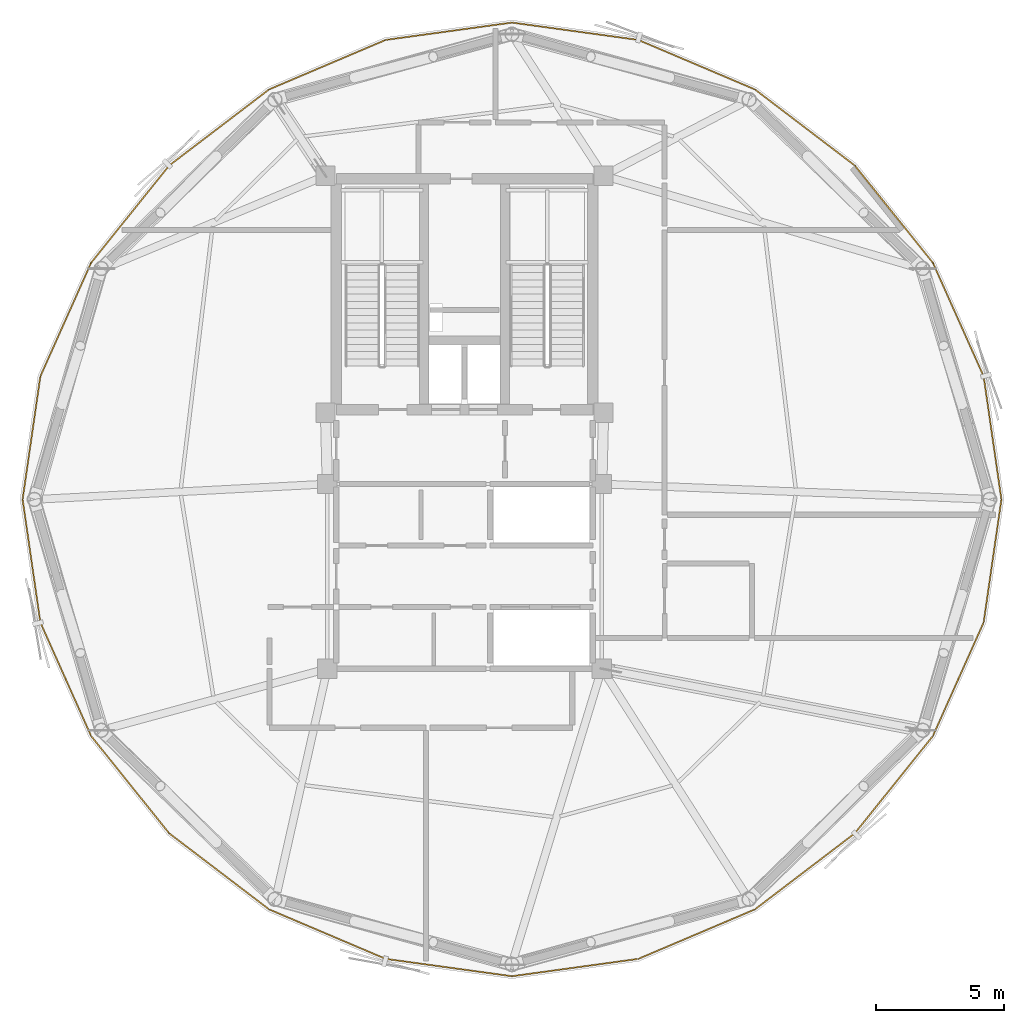
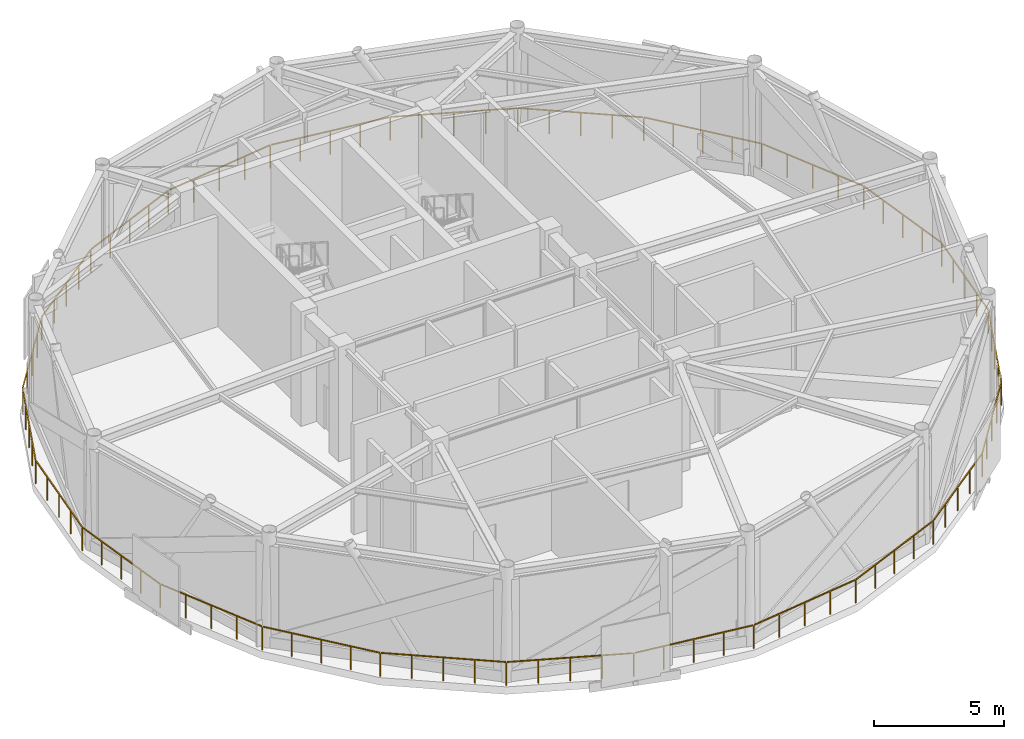
# One storey, part 8 of 10: 1 railing.
"""IFC4 building model written with IfcOpenShell, lengths in metres."""

from ifc_helpers import new_model, si_unit, direction, frame, origin, origin_2d, place, context, subcontext, project, spatial, rectangle, extrude, material, type_object, element, save


model = new_model("IFC4")

# Units and contexts
model_context = context("Model", 3, precision=1e-05, world=origin(), true_north=direction((0.0, 1.0)))
body_context = subcontext(model_context, "Body", "Model", "MODEL_VIEW")
ifc_project = project(units=[si_unit("LENGTHUNIT", "METRE"), si_unit("AREAUNIT", "SQUARE_METRE"), si_unit("VOLUMEUNIT", "CUBIC_METRE"), si_unit("PLANEANGLEUNIT", "RADIAN"), si_unit("MASSUNIT", "GRAM", prefix="KILO")], contexts=[model_context])

# Site, building, storey
site_placement = place(None, origin())
site = spatial("IfcSite", under=ifc_project, at=site_placement, CompositionType="ELEMENT")
building_placement = place(site_placement, origin())
building = spatial("IfcBuilding", under=site, at=building_placement, Name="Varnakorn Sky Granary", CompositionType="ELEMENT")
storey_placement = place(building_placement, frame((0.0, 0.0, 240.0)))
storey = spatial("IfcBuildingStorey", under=building, at=storey_placement, Name="L61", CompositionType="ELEMENT", Elevation=240.0)

# Railing
ifc_material = material(Name="Anodised Bronze Aluminium Alloy 6063-T6", Category="aluminium")
railing_type = type_object("IfcRailingType", Name="RL-BAL-1120", PredefinedType="BALUSTRADE", material=ifc_material)
railing_placement = place(storey_placement, frame((23.929931640625, 0.0, 0.0)))
element("IfcRailing", 1, at=railing_placement, inside=storey, type_object=railing_type, Name="Perimeter Slab-Edge Safety Guard L61", PredefinedType="BALUSTRADE", context=body_context, shape_type="SweptSolid", body=[
    extrude(rectangle(XDim=0.048095703125, YDim=0.048095703125, at=origin_2d()), frame((-0.00390625, -0.02783203125, 1.09619140625), z_axis=(-0.142937190919, -0.989731761364, 0.0), x_axis=(0.989731761364, -0.142937190919, 0.0)), (0.0, 0.0, 1.0), 4.791259765625),
    extrude(rectangle(XDim=0.048095703125, YDim=0.048095703125, at=origin_2d()), frame((-0.704345703125, -4.8232421875, 1.09619140625), z_axis=(-0.408048102101, -0.912960429795, 0.0), x_axis=(0.912960429795, -0.408048102101, 0.0)), (0.0, 0.0, 1.0), 4.793212890625),
    extrude(rectangle(XDim=0.048095703125, YDim=0.048095703125, at=origin_2d()), frame((-2.689208984375, -9.24658203125, 1.09619140625), z_axis=(-0.625919112172, -0.779887982352, 0.0), x_axis=(0.779887982352, -0.625919112172, 0.0)), (0.0, 0.0, 1.0), 4.8056640625),
    extrude(rectangle(XDim=0.048095703125, YDim=0.048095703125, at=origin_2d()), frame((-5.73681640625, -13.033447265625, 1.09619140625), z_axis=(-0.795469510511, -0.605993612052, 0.0), x_axis=(0.605993612052, -0.795469510511, 0.0)), (0.0, 0.0, 1.0), 4.837646484375),
    extrude(rectangle(XDim=0.048095703125, YDim=0.048095703125, at=origin_2d()), frame((-9.63330078125, -15.992919921875, 1.09619140625), z_axis=(-0.920469197457, -0.390815118096, 0.0), x_axis=(0.390815118096, -0.920469197457, 0.0)), (0.0, 0.0, 1.0), 4.883544921875),
    extrude(rectangle(XDim=0.048095703125, YDim=0.048095703125, at=origin_2d()), frame((-14.181884765625, -17.916259765625, 1.09619140625), z_axis=(-0.990693412085, -0.136112318512, 0.0), x_axis=(0.136112318512, -0.990693412085, 0.0)), (0.0, 0.0, 1.0), 4.916015625),
    extrude(rectangle(XDim=0.048095703125, YDim=0.048095703125, at=origin_2d()), frame((-19.107666015625, -18.585205078125, 1.09619140625), z_axis=(-0.990694321721, 0.136105697567, 0.0), x_axis=(-0.136105697567, -0.990694321721, 0.0)), (0.0, 0.0, 1.0), 4.916259765625),
    extrude(rectangle(XDim=0.048095703125, YDim=0.048095703125, at=origin_2d()), frame((-24.03173828125, -17.9013671875, 1.09619140625), z_axis=(-0.920461647718, 0.390832899179, 0.0), x_axis=(-0.390832899179, -0.920461647718, 0.0)), (0.0, 0.0, 1.0), 4.88330078125),
    extrude(rectangle(XDim=0.048095703125, YDim=0.048095703125, at=origin_2d()), frame((-28.574462890625, -15.965087890625, 1.09619140625), z_axis=(-0.795487829827, 0.605969564085, 0.0), x_axis=(-0.605969564085, -0.795487829827, 0.0)), (0.0, 0.0, 1.0), 4.837890625),
    extrude(rectangle(XDim=0.048095703125, YDim=0.048095703125, at=origin_2d()), frame((-32.462890625, -12.99462890625, 1.09619140625), z_axis=(-0.625919112172, 0.779887982352, 0.0), x_axis=(-0.779887982352, -0.625919112172, 0.0)), (0.0, 0.0, 1.0), 4.8056640625),
    extrude(rectangle(XDim=0.048095703125, YDim=0.048095703125, at=origin_2d()), frame((-35.499755859375, -9.19921875, 1.09619140625), z_axis=(-0.408048102101, 0.912960429795, 0.0), x_axis=(-0.912960429795, -0.408048102101, 0.0)), (0.0, 0.0, 1.0), 4.793212890625),
    extrude(rectangle(XDim=0.048095703125, YDim=0.048095703125, at=origin_2d()), frame((-37.470947265625, -4.769775390625, 1.09619140625), z_axis=(-0.142937190919, 0.989731761364, 0.0), x_axis=(-0.989731761364, -0.142937190919, 0.0)), (0.0, 0.0, 1.0), 4.791259765625),
    extrude(rectangle(XDim=0.048095703125, YDim=0.048095703125, at=origin_2d()), frame((-38.156005859375, 0.02783203125, 1.09619140625), z_axis=(0.142937190919, 0.989731761364, 0.0), x_axis=(-0.989731761364, 0.142937190919, 0.0)), (0.0, 0.0, 1.0), 4.791259765625),
    extrude(rectangle(XDim=0.048095703125, YDim=0.048095703125, at=origin_2d()), frame((-37.45556640625, 4.8232421875, 1.09619140625), z_axis=(0.408048102101, 0.912960429795, 0.0), x_axis=(-0.912960429795, 0.408048102101, 0.0)), (0.0, 0.0, 1.0), 4.793212890625),
    extrude(rectangle(XDim=0.048095703125, YDim=0.048095703125, at=origin_2d()), frame((-35.470703125, 9.24658203125, 1.09619140625), z_axis=(0.625919112172, 0.779887982352, 0.0), x_axis=(-0.779887982352, 0.625919112172, 0.0)), (0.0, 0.0, 1.0), 4.8056640625),
    extrude(rectangle(XDim=0.048095703125, YDim=0.048095703125, at=origin_2d()), frame((-32.423095703125, 13.033203125, 1.09619140625), z_axis=(0.795487829827, 0.605969564085, 0.0), x_axis=(-0.605969564085, 0.795487829827, 0.0)), (0.0, 0.0, 1.0), 4.837890625),
    extrude(rectangle(XDim=0.048095703125, YDim=0.048095703125, at=origin_2d()), frame((-28.5263671875, 15.992919921875, 1.09619140625), z_axis=(0.920461647718, 0.390832899179, 0.0), x_axis=(-0.390832899179, 0.920461647718, 0.0)), (0.0, 0.0, 1.0), 4.88330078125),
    extrude(rectangle(XDim=0.048095703125, YDim=0.048095703125, at=origin_2d()), frame((-23.97802734375, 17.916259765625, 1.09619140625), z_axis=(0.990694321721, 0.136105697567, 0.0), x_axis=(-0.136105697567, 0.990694321721, 0.0)), (0.0, 0.0, 1.0), 4.916259765625),
    extrude(rectangle(XDim=0.048095703125, YDim=0.048095703125, at=origin_2d()), frame((-19.052001953125, 18.585205078125, 1.09619140625), z_axis=(0.990693412085, -0.136112318512, 0.0), x_axis=(0.136112318512, 0.990693412085, 0.0)), (0.0, 0.0, 1.0), 4.916015625),
    extrude(rectangle(XDim=0.048095703125, YDim=0.048095703125, at=origin_2d()), frame((-14.128173828125, 17.9013671875, 1.09619140625), z_axis=(0.920469197457, -0.390815118096, 0.0), x_axis=(0.390815118096, 0.920469197457, 0.0)), (0.0, 0.0, 1.0), 4.883544921875),
    extrude(rectangle(XDim=0.048095703125, YDim=0.048095703125, at=origin_2d()), frame((-9.585205078125, 15.96484375, 1.09619140625), z_axis=(0.795469510511, -0.605993612052, 0.0), x_axis=(0.605993612052, 0.795469510511, 0.0)), (0.0, 0.0, 1.0), 4.837646484375),
    extrude(rectangle(XDim=0.048095703125, YDim=0.048095703125, at=origin_2d()), frame((-5.697021484375, 12.99462890625, 1.09619140625), z_axis=(0.625919112172, -0.779887982352, 0.0), x_axis=(0.779887982352, 0.625919112172, 0.0)), (0.0, 0.0, 1.0), 4.8056640625),
    extrude(rectangle(XDim=0.048095703125, YDim=0.048095703125, at=origin_2d()), frame((-2.66015625, 9.19921875, 1.09619140625), z_axis=(0.408048102101, -0.912960429795, 0.0), x_axis=(0.912960429795, 0.408048102101, 0.0)), (0.0, 0.0, 1.0), 4.793212890625),
    extrude(rectangle(XDim=0.048095703125, YDim=0.048095703125, at=origin_2d()), frame((-0.68896484375, 4.769775390625, 1.09619140625), z_axis=(0.142937190919, -0.989731761364, 0.0), x_axis=(0.989731761364, 0.142937190919, 0.0)), (0.0, 0.0, 1.0), 4.791259765625),
    extrude(rectangle(XDim=0.0419921875, YDim=0.0419921875, at=origin_2d()), origin(), (0.0, 0.0, 1.0), 1.068115234375),
    extrude(rectangle(XDim=0.0419921875, YDim=0.0419921875, at=origin_2d()), frame((-0.17333984375, -1.199462890625, 0.0)), (0.0, 0.0, 1.0), 1.068115234375),
    extrude(rectangle(XDim=0.0419921875, YDim=0.0419921875, at=origin_2d()), frame((-0.346435546875, -2.39892578125, 0.0)), (0.0, 0.0, 1.0), 1.068115234375),
    extrude(rectangle(XDim=0.0419921875, YDim=0.0419921875, at=origin_2d()), frame((-0.51953125, -3.59814453125, 0.0)), (0.0, 0.0, 1.0), 1.068115234375),
    extrude(rectangle(XDim=0.0419921875, YDim=0.0419921875, at=origin_2d()), frame((-0.69287109375, -4.797607421875, 0.0)), (0.0, 0.0, 1.0), 1.068115234375),
    extrude(rectangle(XDim=0.0419921875, YDim=0.0419921875, at=origin_2d()), frame((-1.1875, -5.904296875, 0.0)), (0.0, 0.0, 1.0), 1.068115234375),
    extrude(rectangle(XDim=0.0419921875, YDim=0.0419921875, at=origin_2d()), frame((-1.68212890625, -7.01123046875, 0.0)), (0.0, 0.0, 1.0), 1.068115234375),
    extrude(rectangle(XDim=0.0419921875, YDim=0.0419921875, at=origin_2d()), frame((-2.177001953125, -8.1181640625, 0.0)), (0.0, 0.0, 1.0), 1.068115234375),
    extrude(rectangle(XDim=0.0419921875, YDim=0.0419921875, at=origin_2d()), frame((-2.671630859375, -9.224853515625, 0.0)), (0.0, 0.0, 1.0), 1.068115234375),
    extrude(rectangle(XDim=0.0419921875, YDim=0.0419921875, at=origin_2d()), frame((-3.432373046875, -10.1728515625, 0.0)), (0.0, 0.0, 1.0), 1.068115234375),
    extrude(rectangle(XDim=0.0419921875, YDim=0.0419921875, at=origin_2d()), frame((-4.193115234375, -11.12060546875, 0.0)), (0.0, 0.0, 1.0), 1.068115234375),
    extrude(rectangle(XDim=0.0419921875, YDim=0.0419921875, at=origin_2d()), frame((-4.953857421875, -12.068359375, 0.0)), (0.0, 0.0, 1.0), 1.068115234375),
    extrude(rectangle(XDim=0.0419921875, YDim=0.0419921875, at=origin_2d()), frame((-5.714599609375, -13.016357421875, 0.0)), (0.0, 0.0, 1.0), 1.068115234375),
    extrude(rectangle(XDim=0.0419921875, YDim=0.0419921875, at=origin_2d()), frame((-6.687744140625, -13.7578125, 0.0)), (0.0, 0.0, 1.0), 1.068115234375),
    extrude(rectangle(XDim=0.0419921875, YDim=0.0419921875, at=origin_2d()), frame((-7.6611328125, -14.4990234375, 0.0)), (0.0, 0.0, 1.0), 1.068115234375),
    extrude(rectangle(XDim=0.0419921875, YDim=0.0419921875, at=origin_2d()), frame((-8.63427734375, -15.240478515625, 0.0)), (0.0, 0.0, 1.0), 1.068115234375),
    extrude(rectangle(XDim=0.0419921875, YDim=0.0419921875, at=origin_2d()), frame((-9.607421875, -15.98193359375, 0.0)), (0.0, 0.0, 1.0), 1.068115234375),
    extrude(rectangle(XDim=0.0419921875, YDim=0.0419921875, at=origin_2d()), frame((-10.744140625, -16.464599609375, 0.0)), (0.0, 0.0, 1.0), 1.068115234375),
    extrude(rectangle(XDim=0.0419921875, YDim=0.0419921875, at=origin_2d()), frame((-11.880859375, -16.947265625, 0.0)), (0.0, 0.0, 1.0), 1.068115234375),
    extrude(rectangle(XDim=0.0419921875, YDim=0.0419921875, at=origin_2d()), frame((-13.017333984375, -17.4296875, 0.0)), (0.0, 0.0, 1.0), 1.068115234375),
    extrude(rectangle(XDim=0.0419921875, YDim=0.0419921875, at=origin_2d()), frame((-14.154052734375, -17.912353515625, 0.0)), (0.0, 0.0, 1.0), 1.068115234375),
    extrude(rectangle(XDim=0.0419921875, YDim=0.0419921875, at=origin_2d()), frame((-15.385498046875, -18.08154296875, 0.0)), (0.0, 0.0, 1.0), 1.068115234375),
    extrude(rectangle(XDim=0.0419921875, YDim=0.0419921875, at=origin_2d()), frame((-16.616943359375, -18.250732421875, 0.0)), (0.0, 0.0, 1.0), 1.068115234375),
    extrude(rectangle(XDim=0.0419921875, YDim=0.0419921875, at=origin_2d()), frame((-17.848388671875, -18.419921875, 0.0)), (0.0, 0.0, 1.0), 1.068115234375),
    extrude(rectangle(XDim=0.0419921875, YDim=0.0419921875, at=origin_2d()), frame((-19.079833984375, -18.589111328125, 0.0)), (0.0, 0.0, 1.0), 1.068115234375),
    extrude(rectangle(XDim=0.0419921875, YDim=0.0419921875, at=origin_2d()), frame((-20.311279296875, -18.419921875, 0.0)), (0.0, 0.0, 1.0), 1.068115234375),
    extrude(rectangle(XDim=0.0419921875, YDim=0.0419921875, at=origin_2d()), frame((-21.54296875, -18.250732421875, 0.0)), (0.0, 0.0, 1.0), 1.068115234375),
    extrude(rectangle(XDim=0.0419921875, YDim=0.0419921875, at=origin_2d()), frame((-22.7744140625, -18.08154296875, 0.0)), (0.0, 0.0, 1.0), 1.068115234375),
    extrude(rectangle(XDim=0.0419921875, YDim=0.0419921875, at=origin_2d()), frame((-24.005859375, -17.912353515625, 0.0)), (0.0, 0.0, 1.0), 1.068115234375),
    extrude(rectangle(XDim=0.0419921875, YDim=0.0419921875, at=origin_2d()), frame((-25.142578125, -17.4296875, 0.0)), (0.0, 0.0, 1.0), 1.068115234375),
    extrude(rectangle(XDim=0.0419921875, YDim=0.0419921875, at=origin_2d()), frame((-26.279052734375, -16.947265625, 0.0)), (0.0, 0.0, 1.0), 1.068115234375),
    extrude(rectangle(XDim=0.0419921875, YDim=0.0419921875, at=origin_2d()), frame((-27.41552734375, -16.464599609375, 0.0)), (0.0, 0.0, 1.0), 1.068115234375),
    extrude(rectangle(XDim=0.0419921875, YDim=0.0419921875, at=origin_2d()), frame((-28.55224609375, -15.98193359375, 0.0)), (0.0, 0.0, 1.0), 1.068115234375),
    extrude(rectangle(XDim=0.0419921875, YDim=0.0419921875, at=origin_2d()), frame((-29.525390625, -15.240478515625, 0.0)), (0.0, 0.0, 1.0), 1.068115234375),
    extrude(rectangle(XDim=0.0419921875, YDim=0.0419921875, at=origin_2d()), frame((-30.498779296875, -14.4990234375, 0.0)), (0.0, 0.0, 1.0), 1.068115234375),
    extrude(rectangle(XDim=0.0419921875, YDim=0.0419921875, at=origin_2d()), frame((-31.47216796875, -13.7578125, 0.0)), (0.0, 0.0, 1.0), 1.068115234375),
    extrude(rectangle(XDim=0.0419921875, YDim=0.0419921875, at=origin_2d()), frame((-32.4453125, -13.016357421875, 0.0)), (0.0, 0.0, 1.0), 1.068115234375),
    extrude(rectangle(XDim=0.0419921875, YDim=0.0419921875, at=origin_2d()), frame((-33.2060546875, -12.068359375, 0.0)), (0.0, 0.0, 1.0), 1.068115234375),
    extrude(rectangle(XDim=0.0419921875, YDim=0.0419921875, at=origin_2d()), frame((-33.966796875, -11.12060546875, 0.0)), (0.0, 0.0, 1.0), 1.068115234375),
    extrude(rectangle(XDim=0.0419921875, YDim=0.0419921875, at=origin_2d()), frame((-34.7275390625, -10.1728515625, 0.0)), (0.0, 0.0, 1.0), 1.068115234375),
    extrude(rectangle(XDim=0.0419921875, YDim=0.0419921875, at=origin_2d()), frame((-35.48828125, -9.224853515625, 0.0)), (0.0, 0.0, 1.0), 1.068115234375),
    extrude(rectangle(XDim=0.0419921875, YDim=0.0419921875, at=origin_2d()), frame((-35.98291015625, -8.1181640625, 0.0)), (0.0, 0.0, 1.0), 1.068115234375),
    extrude(rectangle(XDim=0.0419921875, YDim=0.0419921875, at=origin_2d()), frame((-36.4775390625, -7.01123046875, 0.0)), (0.0, 0.0, 1.0), 1.068115234375),
    extrude(rectangle(XDim=0.0419921875, YDim=0.0419921875, at=origin_2d()), frame((-36.972412109375, -5.904296875, 0.0)), (0.0, 0.0, 1.0), 1.068115234375),
    extrude(rectangle(XDim=0.0419921875, YDim=0.0419921875, at=origin_2d()), frame((-37.467041015625, -4.797607421875, 0.0)), (0.0, 0.0, 1.0), 1.068115234375),
    extrude(rectangle(XDim=0.0419921875, YDim=0.0419921875, at=origin_2d()), frame((-37.64013671875, -3.59814453125, 0.0)), (0.0, 0.0, 1.0), 1.068115234375),
    extrude(rectangle(XDim=0.0419921875, YDim=0.0419921875, at=origin_2d()), frame((-37.8134765625, -2.39892578125, 0.0)), (0.0, 0.0, 1.0), 1.068115234375),
    extrude(rectangle(XDim=0.0419921875, YDim=0.0419921875, at=origin_2d()), frame((-37.98681640625, -1.199462890625, 0.0)), (0.0, 0.0, 1.0), 1.068115234375),
    extrude(rectangle(XDim=0.0419921875, YDim=0.0419921875, at=origin_2d()), frame((-38.159912109375, 0.0, 0.0)), (0.0, 0.0, 1.0), 1.068115234375),
    extrude(rectangle(XDim=0.0419921875, YDim=0.0419921875, at=origin_2d()), frame((-37.98681640625, 1.199462890625, 0.0)), (0.0, 0.0, 1.0), 1.068115234375),
    extrude(rectangle(XDim=0.0419921875, YDim=0.0419921875, at=origin_2d()), frame((-37.8134765625, 2.39892578125, 0.0)), (0.0, 0.0, 1.0), 1.068115234375),
    extrude(rectangle(XDim=0.0419921875, YDim=0.0419921875, at=origin_2d()), frame((-37.64013671875, 3.59814453125, 0.0)), (0.0, 0.0, 1.0), 1.068115234375),
    extrude(rectangle(XDim=0.0419921875, YDim=0.0419921875, at=origin_2d()), frame((-37.467041015625, 4.797607421875, 0.0)), (0.0, 0.0, 1.0), 1.068115234375),
    extrude(rectangle(XDim=0.0419921875, YDim=0.0419921875, at=origin_2d()), frame((-36.972412109375, 5.904296875, 0.0)), (0.0, 0.0, 1.0), 1.068115234375),
    extrude(rectangle(XDim=0.0419921875, YDim=0.0419921875, at=origin_2d()), frame((-36.4775390625, 7.01123046875, 0.0)), (0.0, 0.0, 1.0), 1.068115234375),
    extrude(rectangle(XDim=0.0419921875, YDim=0.0419921875, at=origin_2d()), frame((-35.98291015625, 8.1181640625, 0.0)), (0.0, 0.0, 1.0), 1.068115234375),
    extrude(rectangle(XDim=0.0419921875, YDim=0.0419921875, at=origin_2d()), frame((-35.48828125, 9.224853515625, 0.0)), (0.0, 0.0, 1.0), 1.068115234375),
    extrude(rectangle(XDim=0.0419921875, YDim=0.0419921875, at=origin_2d()), frame((-34.7275390625, 10.1728515625, 0.0)), (0.0, 0.0, 1.0), 1.068115234375),
    extrude(rectangle(XDim=0.0419921875, YDim=0.0419921875, at=origin_2d()), frame((-33.966796875, 11.12060546875, 0.0)), (0.0, 0.0, 1.0), 1.068115234375),
    extrude(rectangle(XDim=0.0419921875, YDim=0.0419921875, at=origin_2d()), frame((-33.2060546875, 12.068359375, 0.0)), (0.0, 0.0, 1.0), 1.068115234375),
    extrude(rectangle(XDim=0.0419921875, YDim=0.0419921875, at=origin_2d()), frame((-32.4453125, 13.016357421875, 0.0)), (0.0, 0.0, 1.0), 1.068115234375),
    extrude(rectangle(XDim=0.0419921875, YDim=0.0419921875, at=origin_2d()), frame((-31.47216796875, 13.7578125, 0.0)), (0.0, 0.0, 1.0), 1.068115234375),
    extrude(rectangle(XDim=0.0419921875, YDim=0.0419921875, at=origin_2d()), frame((-30.498779296875, 14.4990234375, 0.0)), (0.0, 0.0, 1.0), 1.068115234375),
    extrude(rectangle(XDim=0.0419921875, YDim=0.0419921875, at=origin_2d()), frame((-29.525390625, 15.240478515625, 0.0)), (0.0, 0.0, 1.0), 1.068115234375),
    extrude(rectangle(XDim=0.0419921875, YDim=0.0419921875, at=origin_2d()), frame((-28.55224609375, 15.98193359375, 0.0)), (0.0, 0.0, 1.0), 1.068115234375),
    extrude(rectangle(XDim=0.0419921875, YDim=0.0419921875, at=origin_2d()), frame((-27.41552734375, 16.464599609375, 0.0)), (0.0, 0.0, 1.0), 1.068115234375),
    extrude(rectangle(XDim=0.0419921875, YDim=0.0419921875, at=origin_2d()), frame((-26.279052734375, 16.947265625, 0.0)), (0.0, 0.0, 1.0), 1.068115234375),
    extrude(rectangle(XDim=0.0419921875, YDim=0.0419921875, at=origin_2d()), frame((-25.142578125, 17.4296875, 0.0)), (0.0, 0.0, 1.0), 1.068115234375),
    extrude(rectangle(XDim=0.0419921875, YDim=0.0419921875, at=origin_2d()), frame((-24.005859375, 17.912353515625, 0.0)), (0.0, 0.0, 1.0), 1.068115234375),
    extrude(rectangle(XDim=0.0419921875, YDim=0.0419921875, at=origin_2d()), frame((-22.7744140625, 18.08154296875, 0.0)), (0.0, 0.0, 1.0), 1.068115234375),
    extrude(rectangle(XDim=0.0419921875, YDim=0.0419921875, at=origin_2d()), frame((-21.54296875, 18.250732421875, 0.0)), (0.0, 0.0, 1.0), 1.068115234375),
    extrude(rectangle(XDim=0.0419921875, YDim=0.0419921875, at=origin_2d()), frame((-20.311279296875, 18.419921875, 0.0)), (0.0, 0.0, 1.0), 1.068115234375),
    extrude(rectangle(XDim=0.0419921875, YDim=0.0419921875, at=origin_2d()), frame((-19.079833984375, 18.589111328125, 0.0)), (0.0, 0.0, 1.0), 1.068115234375),
    extrude(rectangle(XDim=0.0419921875, YDim=0.0419921875, at=origin_2d()), frame((-17.848388671875, 18.419921875, 0.0)), (0.0, 0.0, 1.0), 1.068115234375),
    extrude(rectangle(XDim=0.0419921875, YDim=0.0419921875, at=origin_2d()), frame((-16.616943359375, 18.250732421875, 0.0)), (0.0, 0.0, 1.0), 1.068115234375),
    extrude(rectangle(XDim=0.0419921875, YDim=0.0419921875, at=origin_2d()), frame((-15.385498046875, 18.08154296875, 0.0)), (0.0, 0.0, 1.0), 1.068115234375),
    extrude(rectangle(XDim=0.0419921875, YDim=0.0419921875, at=origin_2d()), frame((-14.154052734375, 17.912353515625, 0.0)), (0.0, 0.0, 1.0), 1.068115234375),
    extrude(rectangle(XDim=0.0419921875, YDim=0.0419921875, at=origin_2d()), frame((-13.017333984375, 17.4296875, 0.0)), (0.0, 0.0, 1.0), 1.068115234375),
    extrude(rectangle(XDim=0.0419921875, YDim=0.0419921875, at=origin_2d()), frame((-11.880859375, 16.947265625, 0.0)), (0.0, 0.0, 1.0), 1.068115234375),
    extrude(rectangle(XDim=0.0419921875, YDim=0.0419921875, at=origin_2d()), frame((-10.744140625, 16.464599609375, 0.0)), (0.0, 0.0, 1.0), 1.068115234375),
    extrude(rectangle(XDim=0.0419921875, YDim=0.0419921875, at=origin_2d()), frame((-9.607421875, 15.98193359375, 0.0)), (0.0, 0.0, 1.0), 1.068115234375),
    extrude(rectangle(XDim=0.0419921875, YDim=0.0419921875, at=origin_2d()), frame((-8.63427734375, 15.240478515625, 0.0)), (0.0, 0.0, 1.0), 1.068115234375),
    extrude(rectangle(XDim=0.0419921875, YDim=0.0419921875, at=origin_2d()), frame((-7.6611328125, 14.4990234375, 0.0)), (0.0, 0.0, 1.0), 1.068115234375),
    extrude(rectangle(XDim=0.0419921875, YDim=0.0419921875, at=origin_2d()), frame((-6.687744140625, 13.7578125, 0.0)), (0.0, 0.0, 1.0), 1.068115234375),
    extrude(rectangle(XDim=0.0419921875, YDim=0.0419921875, at=origin_2d()), frame((-5.714599609375, 13.016357421875, 0.0)), (0.0, 0.0, 1.0), 1.068115234375),
    extrude(rectangle(XDim=0.0419921875, YDim=0.0419921875, at=origin_2d()), frame((-4.953857421875, 12.068359375, 0.0)), (0.0, 0.0, 1.0), 1.068115234375),
    extrude(rectangle(XDim=0.0419921875, YDim=0.0419921875, at=origin_2d()), frame((-4.193115234375, 11.12060546875, 0.0)), (0.0, 0.0, 1.0), 1.068115234375),
    extrude(rectangle(XDim=0.0419921875, YDim=0.0419921875, at=origin_2d()), frame((-3.432373046875, 10.1728515625, 0.0)), (0.0, 0.0, 1.0), 1.068115234375),
    extrude(rectangle(XDim=0.0419921875, YDim=0.0419921875, at=origin_2d()), frame((-2.671630859375, 9.224853515625, 0.0)), (0.0, 0.0, 1.0), 1.068115234375),
    extrude(rectangle(XDim=0.0419921875, YDim=0.0419921875, at=origin_2d()), frame((-2.177001953125, 8.1181640625, 0.0)), (0.0, 0.0, 1.0), 1.068115234375),
    extrude(rectangle(XDim=0.0419921875, YDim=0.0419921875, at=origin_2d()), frame((-1.68212890625, 7.01123046875, 0.0)), (0.0, 0.0, 1.0), 1.068115234375),
    extrude(rectangle(XDim=0.0419921875, YDim=0.0419921875, at=origin_2d()), frame((-1.1875, 5.904296875, 0.0)), (0.0, 0.0, 1.0), 1.068115234375),
    extrude(rectangle(XDim=0.0419921875, YDim=0.0419921875, at=origin_2d()), frame((-0.69287109375, 4.797607421875, 0.0)), (0.0, 0.0, 1.0), 1.068115234375),
    extrude(rectangle(XDim=0.0419921875, YDim=0.0419921875, at=origin_2d()), frame((-0.51953125, 3.59814453125, 0.0)), (0.0, 0.0, 1.0), 1.068115234375),
    extrude(rectangle(XDim=0.0419921875, YDim=0.0419921875, at=origin_2d()), frame((-0.346435546875, 2.39892578125, 0.0)), (0.0, 0.0, 1.0), 1.068115234375),
    extrude(rectangle(XDim=0.0419921875, YDim=0.0419921875, at=origin_2d()), frame((-0.17333984375, 1.199462890625, 0.0)), (0.0, 0.0, 1.0), 1.068115234375),
])

save(model, "model.ifc")
